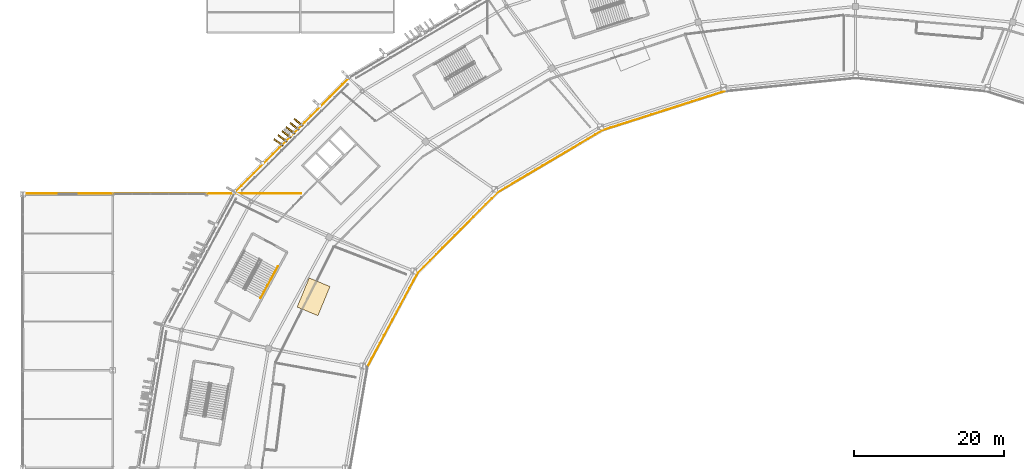
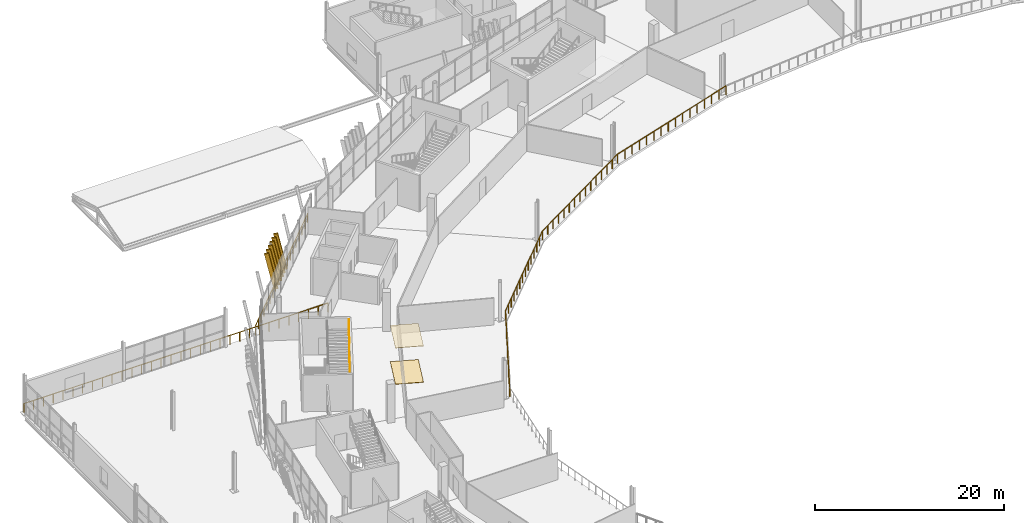
# One storey, part 158 of 179: 7 railings, 6 shading devices, 2 coverings.
"""IFC4 building model written with IfcOpenShell, lengths in metres."""

from ifc_helpers import new_model, si_unit, direction, frame, origin, origin_2d, place, context, subcontext, project, spatial, polyline, rectangle, outline, extrude, material, layer, layer_set, material_profile, profile_set, type_object, element, save


model = new_model("IFC4")

# Units and contexts
model_context = context("Model", 3, precision=1e-05, world=origin(), true_north=direction((0.0, 1.0)))
body_context = subcontext(model_context, "Body", "Model", "MODEL_VIEW")
ifc_project = project(units=[si_unit("LENGTHUNIT", "METRE"), si_unit("AREAUNIT", "SQUARE_METRE"), si_unit("VOLUMEUNIT", "CUBIC_METRE"), si_unit("PLANEANGLEUNIT", "RADIAN"), si_unit("MASSUNIT", "GRAM", prefix="KILO")], contexts=[model_context])

# Site, building, storey
site_placement = place(None, origin())
site = spatial("IfcSite", under=ifc_project, at=site_placement, CompositionType="ELEMENT")
building_placement = place(site_placement, origin())
building = spatial("IfcBuilding", under=site, at=building_placement, Name="Zlatoyarsky Gate Stadium", CompositionType="ELEMENT")
storey_placement = place(building_placement, frame((0.0, 0.0, 10.60009765625)))
storey = spatial("IfcBuildingStorey", under=building, at=storey_placement, Name="L02", CompositionType="ELEMENT", Elevation=10.60009765625)

# Railings
ifc_material_1 = material(Name="Powder-coated steel tubular guardrail", Category="steel")
railing_type_1 = type_object("IfcRailingType", Name="CONCOURSE SLAB EDGE GUARDRAIL 1200", PredefinedType="GUARDRAIL", material=ifc_material_1)
railing_1_placement = place(storey_placement, frame((93.560791015625, 130.208740234375, 0.0)))
element("IfcRailing", 1, at=railing_1_placement, inside=storey, type_object=railing_type_1, Name="L02 inner bowl edge guardrail 07", PredefinedType="GUARDRAIL", context=body_context, shape_type="SweptSolid", body=[
    extrude(rectangle(XDim=0.048095703125, YDim=0.048095703125, at=origin_2d()), frame((0.0, 0.0, 1.17578125), z_axis=(-0.952553500174, -0.304371203149, 0.0), x_axis=(0.304371203149, -0.952553500174, 0.0)), (0.0, 0.0, 1.0), 17.06005859375),
    extrude(rectangle(XDim=0.0419921875, YDim=0.0419921875, at=origin_2d()), origin(), (0.0, 0.0, 1.0), 1.15185546875),
    extrude(rectangle(XDim=0.0419921875, YDim=0.0419921875, at=origin_2d()), frame((-1.08349609375, -0.34619140625, 0.0)), (0.0, 0.0, 1.0), 1.15185546875),
    extrude(rectangle(XDim=0.0419921875, YDim=0.0419921875, at=origin_2d()), frame((-2.166748046875, -0.6923828125, 0.0)), (0.0, 0.0, 1.0), 1.15185546875),
    extrude(rectangle(XDim=0.0419921875, YDim=0.0419921875, at=origin_2d()), frame((-3.250244140625, -1.03857421875, 0.0)), (0.0, 0.0, 1.0), 1.15185546875),
    extrude(rectangle(XDim=0.0419921875, YDim=0.0419921875, at=origin_2d()), frame((-4.33349609375, -1.384765625, 0.0)), (0.0, 0.0, 1.0), 1.15185546875),
    extrude(rectangle(XDim=0.0419921875, YDim=0.0419921875, at=origin_2d()), frame((-5.4169921875, -1.73095703125, 0.0)), (0.0, 0.0, 1.0), 1.15185546875),
    extrude(rectangle(XDim=0.0419921875, YDim=0.0419921875, at=origin_2d()), frame((-6.500244140625, -2.0771484375, 0.0)), (0.0, 0.0, 1.0), 1.15185546875),
    extrude(rectangle(XDim=0.0419921875, YDim=0.0419921875, at=origin_2d()), frame((-7.583740234375, -2.42333984375, 0.0)), (0.0, 0.0, 1.0), 1.15185546875),
    extrude(rectangle(XDim=0.0419921875, YDim=0.0419921875, at=origin_2d()), frame((-8.6669921875, -2.769287109375, 0.0)), (0.0, 0.0, 1.0), 1.15185546875),
    extrude(rectangle(XDim=0.0419921875, YDim=0.0419921875, at=origin_2d()), frame((-9.75048828125, -3.115478515625, 0.0)), (0.0, 0.0, 1.0), 1.15185546875),
    extrude(rectangle(XDim=0.0419921875, YDim=0.0419921875, at=origin_2d()), frame((-10.833740234375, -3.461669921875, 0.0)), (0.0, 0.0, 1.0), 1.15185546875),
    extrude(rectangle(XDim=0.0419921875, YDim=0.0419921875, at=origin_2d()), frame((-11.917236328125, -3.807861328125, 0.0)), (0.0, 0.0, 1.0), 1.15185546875),
    extrude(rectangle(XDim=0.0419921875, YDim=0.0419921875, at=origin_2d()), frame((-13.00048828125, -4.154052734375, 0.0)), (0.0, 0.0, 1.0), 1.15185546875),
    extrude(rectangle(XDim=0.0419921875, YDim=0.0419921875, at=origin_2d()), frame((-14.083984375, -4.500244140625, 0.0)), (0.0, 0.0, 1.0), 1.15185546875),
    extrude(rectangle(XDim=0.0419921875, YDim=0.0419921875, at=origin_2d()), frame((-15.167236328125, -4.846435546875, 0.0)), (0.0, 0.0, 1.0), 1.15185546875),
    extrude(rectangle(XDim=0.0419921875, YDim=0.0419921875, at=origin_2d()), frame((-16.250732421875, -5.192626953125, 0.0)), (0.0, 0.0, 1.0), 1.15185546875),
])
railing_2_placement = place(storey_placement, frame((77.31005859375, 125.01611328125, 0.0)))
element("IfcRailing", 2, at=railing_2_placement, inside=storey, type_object=railing_type_1, Name="L02 inner bowl edge guardrail 08", PredefinedType="GUARDRAIL", context=body_context, shape_type="SweptSolid", body=[
    extrude(rectangle(XDim=0.048095703125, YDim=0.048095703125, at=origin_2d()), frame((0.0, 0.0, 1.17578125), z_axis=(-0.860533047645, -0.509394615118, 0.0), x_axis=(0.509394615118, -0.860533047645, 0.0)), (0.0, 0.0, 1.0), 16.216796875),
    extrude(rectangle(XDim=0.0419921875, YDim=0.0419921875, at=origin_2d()), origin(), (0.0, 0.0, 1.0), 1.15185546875),
    extrude(rectangle(XDim=0.0419921875, YDim=0.0419921875, at=origin_2d()), frame((-0.996826171875, -0.590087890625, 0.0)), (0.0, 0.0, 1.0), 1.15185546875),
    extrude(rectangle(XDim=0.0419921875, YDim=0.0419921875, at=origin_2d()), frame((-1.99365234375, -1.18017578125, 0.0)), (0.0, 0.0, 1.0), 1.15185546875),
    extrude(rectangle(XDim=0.0419921875, YDim=0.0419921875, at=origin_2d()), frame((-2.990478515625, -1.770263671875, 0.0)), (0.0, 0.0, 1.0), 1.15185546875),
    extrude(rectangle(XDim=0.0419921875, YDim=0.0419921875, at=origin_2d()), frame((-3.987060546875, -2.360107421875, 0.0)), (0.0, 0.0, 1.0), 1.15185546875),
    extrude(rectangle(XDim=0.0419921875, YDim=0.0419921875, at=origin_2d()), frame((-4.98388671875, -2.9501953125, 0.0)), (0.0, 0.0, 1.0), 1.15185546875),
    extrude(rectangle(XDim=0.0419921875, YDim=0.0419921875, at=origin_2d()), frame((-5.980712890625, -3.540283203125, 0.0)), (0.0, 0.0, 1.0), 1.15185546875),
    extrude(rectangle(XDim=0.0419921875, YDim=0.0419921875, at=origin_2d()), frame((-6.9775390625, -4.13037109375, 0.0)), (0.0, 0.0, 1.0), 1.15185546875),
    extrude(rectangle(XDim=0.0419921875, YDim=0.0419921875, at=origin_2d()), frame((-7.974365234375, -4.720458984375, 0.0)), (0.0, 0.0, 1.0), 1.15185546875),
    extrude(rectangle(XDim=0.0419921875, YDim=0.0419921875, at=origin_2d()), frame((-8.97119140625, -5.310546875, 0.0)), (0.0, 0.0, 1.0), 1.15185546875),
    extrude(rectangle(XDim=0.0419921875, YDim=0.0419921875, at=origin_2d()), frame((-9.968017578125, -5.900634765625, 0.0)), (0.0, 0.0, 1.0), 1.15185546875),
    extrude(rectangle(XDim=0.0419921875, YDim=0.0419921875, at=origin_2d()), frame((-10.964599609375, -6.490478515625, 0.0)), (0.0, 0.0, 1.0), 1.15185546875),
    extrude(rectangle(XDim=0.0419921875, YDim=0.0419921875, at=origin_2d()), frame((-11.96142578125, -7.08056640625, 0.0)), (0.0, 0.0, 1.0), 1.15185546875),
    extrude(rectangle(XDim=0.0419921875, YDim=0.0419921875, at=origin_2d()), frame((-12.958251953125, -7.670654296875, 0.0)), (0.0, 0.0, 1.0), 1.15185546875),
    extrude(rectangle(XDim=0.0419921875, YDim=0.0419921875, at=origin_2d()), frame((-13.955078125, -8.2607421875, 0.0)), (0.0, 0.0, 1.0), 1.15185546875),
])
railing_3_placement = place(storey_placement, frame((63.35498046875, 116.75537109375, 0.0)))
element("IfcRailing", 3, at=railing_3_placement, inside=storey, type_object=railing_type_1, Name="L02 inner bowl edge guardrail 09", PredefinedType="GUARDRAIL", context=body_context, shape_type="SweptSolid", body=[
    extrude(rectangle(XDim=0.048095703125, YDim=0.048095703125, at=origin_2d()), frame((0.0, 0.0, 1.17578125), z_axis=(-0.705206918956, -0.709001552506, 0.0), x_axis=(0.709001552506, -0.705206918956, 0.0)), (0.0, 0.0, 1.0), 15.183837890625),
    extrude(rectangle(XDim=0.0419921875, YDim=0.0419921875, at=origin_2d()), origin(), (0.0, 0.0, 1.0), 1.15185546875),
    extrude(rectangle(XDim=0.0419921875, YDim=0.0419921875, at=origin_2d()), frame((-0.82373046875, -0.828125, 0.0)), (0.0, 0.0, 1.0), 1.15185546875),
    extrude(rectangle(XDim=0.0419921875, YDim=0.0419921875, at=origin_2d()), frame((-1.6474609375, -1.65625, 0.0)), (0.0, 0.0, 1.0), 1.15185546875),
    extrude(rectangle(XDim=0.0419921875, YDim=0.0419921875, at=origin_2d()), frame((-2.470947265625, -2.484375, 0.0)), (0.0, 0.0, 1.0), 1.15185546875),
    extrude(rectangle(XDim=0.0419921875, YDim=0.0419921875, at=origin_2d()), frame((-3.294677734375, -3.3125, 0.0)), (0.0, 0.0, 1.0), 1.15185546875),
    extrude(rectangle(XDim=0.0419921875, YDim=0.0419921875, at=origin_2d()), frame((-4.118408203125, -4.140625, 0.0)), (0.0, 0.0, 1.0), 1.15185546875),
    extrude(rectangle(XDim=0.0419921875, YDim=0.0419921875, at=origin_2d()), frame((-4.942138671875, -4.96875, 0.0)), (0.0, 0.0, 1.0), 1.15185546875),
    extrude(rectangle(XDim=0.0419921875, YDim=0.0419921875, at=origin_2d()), frame((-5.765625, -5.796630859375, 0.0)), (0.0, 0.0, 1.0), 1.15185546875),
    extrude(rectangle(XDim=0.0419921875, YDim=0.0419921875, at=origin_2d()), frame((-6.58935546875, -6.624755859375, 0.0)), (0.0, 0.0, 1.0), 1.15185546875),
    extrude(rectangle(XDim=0.0419921875, YDim=0.0419921875, at=origin_2d()), frame((-7.4130859375, -7.452880859375, 0.0)), (0.0, 0.0, 1.0), 1.15185546875),
    extrude(rectangle(XDim=0.0419921875, YDim=0.0419921875, at=origin_2d()), frame((-8.23681640625, -8.281005859375, 0.0)), (0.0, 0.0, 1.0), 1.15185546875),
    extrude(rectangle(XDim=0.0419921875, YDim=0.0419921875, at=origin_2d()), frame((-9.060302734375, -9.109130859375, 0.0)), (0.0, 0.0, 1.0), 1.15185546875),
    extrude(rectangle(XDim=0.0419921875, YDim=0.0419921875, at=origin_2d()), frame((-9.884033203125, -9.937255859375, 0.0)), (0.0, 0.0, 1.0), 1.15185546875),
    extrude(rectangle(XDim=0.0419921875, YDim=0.0419921875, at=origin_2d()), frame((-10.707763671875, -10.765380859375, 0.0)), (0.0, 0.0, 1.0), 1.15185546875),
])
railing_4_placement = place(storey_placement, frame((52.647216796875, 105.989990234375, 0.0)))
element("IfcRailing", 4, at=railing_4_placement, inside=storey, type_object=railing_type_1, Name="L02 inner bowl edge guardrail 10", PredefinedType="GUARDRAIL", context=body_context, shape_type="SweptSolid", body=[
    extrude(rectangle(XDim=0.048095703125, YDim=0.048095703125, at=origin_2d()), frame((0.0, 0.0, 1.17578125), z_axis=(-0.473048708203, -0.881036276023, 0.0), x_axis=(0.881036276023, -0.473048708203, 0.0)), (0.0, 0.0, 1.0), 14.2294921875),
    extrude(rectangle(XDim=0.0419921875, YDim=0.0419921875, at=origin_2d()), origin(), (0.0, 0.0, 1.0), 1.15185546875),
    extrude(rectangle(XDim=0.0419921875, YDim=0.0419921875, at=origin_2d()), frame((-0.56103515625, -1.044677734375, 0.0)), (0.0, 0.0, 1.0), 1.15185546875),
    extrude(rectangle(XDim=0.0419921875, YDim=0.0419921875, at=origin_2d()), frame((-1.121826171875, -2.08935546875, 0.0)), (0.0, 0.0, 1.0), 1.15185546875),
    extrude(rectangle(XDim=0.0419921875, YDim=0.0419921875, at=origin_2d()), frame((-1.682861328125, -3.13427734375, 0.0)), (0.0, 0.0, 1.0), 1.15185546875),
    extrude(rectangle(XDim=0.0419921875, YDim=0.0419921875, at=origin_2d()), frame((-2.24365234375, -4.178955078125, 0.0)), (0.0, 0.0, 1.0), 1.15185546875),
    extrude(rectangle(XDim=0.0419921875, YDim=0.0419921875, at=origin_2d()), frame((-2.8046875, -5.2236328125, 0.0)), (0.0, 0.0, 1.0), 1.15185546875),
    extrude(rectangle(XDim=0.0419921875, YDim=0.0419921875, at=origin_2d()), frame((-3.36572265625, -6.268310546875, 0.0)), (0.0, 0.0, 1.0), 1.15185546875),
    extrude(rectangle(XDim=0.0419921875, YDim=0.0419921875, at=origin_2d()), frame((-3.926513671875, -7.31298828125, 0.0)), (0.0, 0.0, 1.0), 1.15185546875),
    extrude(rectangle(XDim=0.0419921875, YDim=0.0419921875, at=origin_2d()), frame((-4.487548828125, -8.357666015625, 0.0)), (0.0, 0.0, 1.0), 1.15185546875),
    extrude(rectangle(XDim=0.0419921875, YDim=0.0419921875, at=origin_2d()), frame((-5.04833984375, -9.40234375, 0.0)), (0.0, 0.0, 1.0), 1.15185546875),
    extrude(rectangle(XDim=0.0419921875, YDim=0.0419921875, at=origin_2d()), frame((-5.609375, -10.447265625, 0.0)), (0.0, 0.0, 1.0), 1.15185546875),
    extrude(rectangle(XDim=0.0419921875, YDim=0.0419921875, at=origin_2d()), frame((-6.170166015625, -11.491943359375, 0.0)), (0.0, 0.0, 1.0), 1.15185546875),
    extrude(rectangle(XDim=0.0419921875, YDim=0.0419921875, at=origin_2d()), frame((-6.731201171875, -12.53662109375, 0.0)), (0.0, 0.0, 1.0), 1.15185546875),
])
railing_5_placement = place(storey_placement, frame((43.47412109375, 131.969482421875, 0.0)))
element("IfcRailing", 5, at=railing_5_placement, inside=storey, type_object=railing_type_1, Name="L02 outer slab edge guardrail 09", PredefinedType="GUARDRAIL", context=body_context, shape_type="SweptSolid", body=[
    extrude(rectangle(XDim=0.048095703125, YDim=0.048095703125, at=origin_2d()), frame((0.0, 0.0, 1.17578125), z_axis=(-0.706043981581, -0.708167985773, 0.0), x_axis=(0.708167985773, -0.706043981581, 0.0)), (0.0, 0.0, 1.0), 21.494384765625),
    extrude(rectangle(XDim=0.0419921875, YDim=0.0419921875, at=origin_2d()), origin(), (0.0, 0.0, 1.0), 1.15185546875),
    extrude(rectangle(XDim=0.0419921875, YDim=0.0419921875, at=origin_2d()), frame((-0.843017578125, -0.845703125, 0.0)), (0.0, 0.0, 1.0), 1.15185546875),
    extrude(rectangle(XDim=0.0419921875, YDim=0.0419921875, at=origin_2d()), frame((-1.686279296875, -1.69140625, 0.0)), (0.0, 0.0, 1.0), 1.15185546875),
    extrude(rectangle(XDim=0.0419921875, YDim=0.0419921875, at=origin_2d()), frame((-2.529296875, -2.536865234375, 0.0)), (0.0, 0.0, 1.0), 1.15185546875),
    extrude(rectangle(XDim=0.0419921875, YDim=0.0419921875, at=origin_2d()), frame((-3.37255859375, -3.382568359375, 0.0)), (0.0, 0.0, 1.0), 1.15185546875),
    extrude(rectangle(XDim=0.0419921875, YDim=0.0419921875, at=origin_2d()), frame((-4.215576171875, -4.228271484375, 0.0)), (0.0, 0.0, 1.0), 1.15185546875),
    extrude(rectangle(XDim=0.0419921875, YDim=0.0419921875, at=origin_2d()), frame((-5.05859375, -5.073974609375, 0.0)), (0.0, 0.0, 1.0), 1.15185546875),
    extrude(rectangle(XDim=0.0419921875, YDim=0.0419921875, at=origin_2d()), frame((-5.90185546875, -5.91943359375, 0.0)), (0.0, 0.0, 1.0), 1.15185546875),
    extrude(rectangle(XDim=0.0419921875, YDim=0.0419921875, at=origin_2d()), frame((-6.744873046875, -6.76513671875, 0.0)), (0.0, 0.0, 1.0), 1.15185546875),
    extrude(rectangle(XDim=0.0419921875, YDim=0.0419921875, at=origin_2d()), frame((-7.587890625, -7.61083984375, 0.0)), (0.0, 0.0, 1.0), 1.15185546875),
    extrude(rectangle(XDim=0.0419921875, YDim=0.0419921875, at=origin_2d()), frame((-8.43115234375, -8.45654296875, 0.0)), (0.0, 0.0, 1.0), 1.15185546875),
    extrude(rectangle(XDim=0.0419921875, YDim=0.0419921875, at=origin_2d()), frame((-9.274169921875, -9.30224609375, 0.0)), (0.0, 0.0, 1.0), 1.15185546875),
    extrude(rectangle(XDim=0.0419921875, YDim=0.0419921875, at=origin_2d()), frame((-10.117431640625, -10.147705078125, 0.0)), (0.0, 0.0, 1.0), 1.15185546875),
    extrude(rectangle(XDim=0.0419921875, YDim=0.0419921875, at=origin_2d()), frame((-10.96044921875, -10.993408203125, 0.0)), (0.0, 0.0, 1.0), 1.15185546875),
    extrude(rectangle(XDim=0.0419921875, YDim=0.0419921875, at=origin_2d()), frame((-11.803466796875, -11.839111328125, 0.0)), (0.0, 0.0, 1.0), 1.15185546875),
    extrude(rectangle(XDim=0.0419921875, YDim=0.0419921875, at=origin_2d()), frame((-12.646728515625, -12.684814453125, 0.0)), (0.0, 0.0, 1.0), 1.15185546875),
    extrude(rectangle(XDim=0.0419921875, YDim=0.0419921875, at=origin_2d()), frame((-13.48974609375, -13.5302734375, 0.0)), (0.0, 0.0, 1.0), 1.15185546875),
    extrude(rectangle(XDim=0.0419921875, YDim=0.0419921875, at=origin_2d()), frame((-14.3330078125, -14.3759765625, 0.0)), (0.0, 0.0, 1.0), 1.15185546875),
    extrude(rectangle(XDim=0.0419921875, YDim=0.0419921875, at=origin_2d()), frame((-15.176025390625, -15.2216796875, 0.0)), (0.0, 0.0, 1.0), 1.15185546875),
])
railing_6_placement = place(storey_placement, frame((-0.080078125, 116.580078125, 0.0)))
element("IfcRailing", 6, at=railing_6_placement, inside=storey, type_object=railing_type_1, Name="V4_WEST L02 N slab edge guardrail", PredefinedType="GUARDRAIL", context=body_context, shape_type="SweptSolid", body=[
    extrude(rectangle(XDim=0.048095703125, YDim=0.048095703125, at=origin_2d()), frame((0.0, 0.0, 1.17578125), z_axis=(1.0, 0.0, 0.0), x_axis=(0.0, 1.0, 0.0)), (0.0, 0.0, 1.0), 37.16015625),
    extrude(rectangle(XDim=0.0419921875, YDim=0.0419921875, at=origin_2d()), origin(), (0.0, 0.0, 1.0), 1.15185546875),
    extrude(rectangle(XDim=0.0419921875, YDim=0.0419921875, at=origin_2d()), frame((1.19873046875, 0.0, 0.0)), (0.0, 0.0, 1.0), 1.15185546875),
    extrude(rectangle(XDim=0.0419921875, YDim=0.0419921875, at=origin_2d()), frame((2.3974609375, 0.0, 0.0)), (0.0, 0.0, 1.0), 1.15185546875),
    extrude(rectangle(XDim=0.0419921875, YDim=0.0419921875, at=origin_2d()), frame((3.59619140625, 0.0, 0.0)), (0.0, 0.0, 1.0), 1.15185546875),
    extrude(rectangle(XDim=0.0419921875, YDim=0.0419921875, at=origin_2d()), frame((4.794921875, 0.0, 0.0)), (0.0, 0.0, 1.0), 1.15185546875),
    extrude(rectangle(XDim=0.0419921875, YDim=0.0419921875, at=origin_2d()), frame((5.99365234375, 0.0, 0.0)), (0.0, 0.0, 1.0), 1.15185546875),
    extrude(rectangle(XDim=0.0419921875, YDim=0.0419921875, at=origin_2d()), frame((7.1923828125, 0.0, 0.0)), (0.0, 0.0, 1.0), 1.15185546875),
    extrude(rectangle(XDim=0.0419921875, YDim=0.0419921875, at=origin_2d()), frame((8.39111328125, 0.0, 0.0)), (0.0, 0.0, 1.0), 1.15185546875),
    extrude(rectangle(XDim=0.0419921875, YDim=0.0419921875, at=origin_2d()), frame((9.589599609375, 0.0, 0.0)), (0.0, 0.0, 1.0), 1.15185546875),
    extrude(rectangle(XDim=0.0419921875, YDim=0.0419921875, at=origin_2d()), frame((10.788330078125, 0.0, 0.0)), (0.0, 0.0, 1.0), 1.15185546875),
    extrude(rectangle(XDim=0.0419921875, YDim=0.0419921875, at=origin_2d()), frame((11.987060546875, 0.0, 0.0)), (0.0, 0.0, 1.0), 1.15185546875),
    extrude(rectangle(XDim=0.0419921875, YDim=0.0419921875, at=origin_2d()), frame((13.185791015625, 0.0, 0.0)), (0.0, 0.0, 1.0), 1.15185546875),
    extrude(rectangle(XDim=0.0419921875, YDim=0.0419921875, at=origin_2d()), frame((14.384521484375, 0.0, 0.0)), (0.0, 0.0, 1.0), 1.15185546875),
    extrude(rectangle(XDim=0.0419921875, YDim=0.0419921875, at=origin_2d()), frame((15.583251953125, 0.0, 0.0)), (0.0, 0.0, 1.0), 1.15185546875),
    extrude(rectangle(XDim=0.0419921875, YDim=0.0419921875, at=origin_2d()), frame((16.781982421875, 0.0, 0.0)), (0.0, 0.0, 1.0), 1.15185546875),
    extrude(rectangle(XDim=0.0419921875, YDim=0.0419921875, at=origin_2d()), frame((17.980712890625, 0.0, 0.0)), (0.0, 0.0, 1.0), 1.15185546875),
    extrude(rectangle(XDim=0.0419921875, YDim=0.0419921875, at=origin_2d()), frame((19.179443359375, 0.0, 0.0)), (0.0, 0.0, 1.0), 1.15185546875),
    extrude(rectangle(XDim=0.0419921875, YDim=0.0419921875, at=origin_2d()), frame((20.378173828125, 0.0, 0.0)), (0.0, 0.0, 1.0), 1.15185546875),
    extrude(rectangle(XDim=0.0419921875, YDim=0.0419921875, at=origin_2d()), frame((21.576904296875, 0.0, 0.0)), (0.0, 0.0, 1.0), 1.15185546875),
    extrude(rectangle(XDim=0.0419921875, YDim=0.0419921875, at=origin_2d()), frame((22.775634765625, 0.0, 0.0)), (0.0, 0.0, 1.0), 1.15185546875),
    extrude(rectangle(XDim=0.0419921875, YDim=0.0419921875, at=origin_2d()), frame((23.974365234375, 0.0, 0.0)), (0.0, 0.0, 1.0), 1.15185546875),
    extrude(rectangle(XDim=0.0419921875, YDim=0.0419921875, at=origin_2d()), frame((25.173095703125, 0.0, 0.0)), (0.0, 0.0, 1.0), 1.15185546875),
    extrude(rectangle(XDim=0.0419921875, YDim=0.0419921875, at=origin_2d()), frame((26.371826171875, 0.0, 0.0)), (0.0, 0.0, 1.0), 1.15185546875),
    extrude(rectangle(XDim=0.0419921875, YDim=0.0419921875, at=origin_2d()), frame((27.570556640625, 0.0, 0.0)), (0.0, 0.0, 1.0), 1.15185546875),
    extrude(rectangle(XDim=0.0419921875, YDim=0.0419921875, at=origin_2d()), frame((28.76904296875, 0.0, 0.0)), (0.0, 0.0, 1.0), 1.15185546875),
    extrude(rectangle(XDim=0.0419921875, YDim=0.0419921875, at=origin_2d()), frame((29.9677734375, 0.0, 0.0)), (0.0, 0.0, 1.0), 1.15185546875),
    extrude(rectangle(XDim=0.0419921875, YDim=0.0419921875, at=origin_2d()), frame((31.16650390625, 0.0, 0.0)), (0.0, 0.0, 1.0), 1.15185546875),
    extrude(rectangle(XDim=0.0419921875, YDim=0.0419921875, at=origin_2d()), frame((32.365234375, 0.0, 0.0)), (0.0, 0.0, 1.0), 1.15185546875),
    extrude(rectangle(XDim=0.0419921875, YDim=0.0419921875, at=origin_2d()), frame((33.56396484375, 0.0, 0.0)), (0.0, 0.0, 1.0), 1.15185546875),
    extrude(rectangle(XDim=0.0419921875, YDim=0.0419921875, at=origin_2d()), frame((34.7626953125, 0.0, 0.0)), (0.0, 0.0, 1.0), 1.15185546875),
    extrude(rectangle(XDim=0.0419921875, YDim=0.0419921875, at=origin_2d()), frame((35.96142578125, 0.0, 0.0)), (0.0, 0.0, 1.0), 1.15185546875),
    extrude(rectangle(XDim=0.0419921875, YDim=0.0419921875, at=origin_2d()), frame((37.16015625, 0.0, 0.0)), (0.0, 0.0, 1.0), 1.15185546875),
])

# Coverings
ifc_material_2 = material(Name="Perforated anodised aluminium acoustic ceiling", Category="aluminium")
ifc_layer_1 = layer(ifc_material_2, 0.050048828125)
ifc_layer_set_1 = layer_set([ifc_layer_1], Name="Perforated anodised aluminium acoustic ceiling")
covering_type_1 = type_object("IfcCoveringType", Name="PERFORATED ACOUSTIC BAFFLE CEILING 50", PredefinedType="CEILING", material=ifc_layer_set_1)
covering_1_placement = place(storey_placement, frame((0.0, 0.0, 4.669921875)))
element("IfcCovering", 7, at=covering_1_placement, inside=storey, type_object=covering_type_1, Name="L02 hospitality acoustic ceiling 04", PredefinedType="CEILING", context=body_context, shape_type="SweptSolid", body=[
    extrude(outline(polyline([(40.9423828125, 104.174072265625), (39.335205078125, 100.293701171875), (36.5634765625, 101.44189453125), (38.1708984375, 105.322265625), (40.9423828125, 104.174072265625)])), origin(), (0.0, 0.0, 1.0), 0.050048828125),
])
ifc_material_3 = material(Name="Polished granite stone flooring", Category="masonry")
ifc_layer_2 = layer(ifc_material_3, 0.0400390625)
ifc_layer_set_2 = layer_set([ifc_layer_2], Name="Polished granite stone flooring")
covering_type_2 = type_object("IfcCoveringType", Name="POLISHED GRANITE CONCOURSE FLOORING 40", PredefinedType="FLOORING", material=ifc_layer_set_2)
covering_2_placement = place(storey_placement, origin())
element("IfcCovering", 8, at=covering_2_placement, inside=storey, type_object=covering_type_2, Name="L02 hospitality concourse granite flooring 04", PredefinedType="FLOORING", context=body_context, shape_type="SweptSolid", body=[
    extrude(outline(polyline([(40.9423828125, 104.174072265625), (39.335205078125, 100.293701171875), (36.5634765625, 101.44189453125), (38.1708984375, 105.322265625), (40.9423828125, 104.174072265625)])), origin(), (0.0, 0.0, 1.0), 0.039794921875),
])

# Shading devices
ifc_material_4 = material(Name="Precast concrete C40/50 stone-toned architectural rib", Category="masonry")
ifc_material_profile = material_profile(ifc_material_4, rectangle(XDim=0.199951171875, YDim=0.47998046875, at=origin_2d()), Name="RIB 200X480")
ifc_profile_set = profile_set([ifc_material_profile], Name="Precast concrete C40/50 stone-toned architectural rib")
shading_device_type = type_object("IfcShadingDeviceType", Name="PRECAST FLUTED GATE LOUVRE BLADE 200X480", PredefinedType="SHUTTER", material=ifc_profile_set)
for number, where, z_axis, x_axis, name in (
    (9, (37.131103515625, 125.7470703125, -0.010009765625), (-0.172604930149, 0.138859816034, 0.975154085045), (-0.626828302865, -0.779157415884, 0.0), "Leaning bowl louvre fin L02-09-1"),
    (10, (36.601806640625, 125.2158203125, -0.010009765625), (-0.173880188722, 0.13726544238, 0.975153258877), (-0.619620954857, -0.78490118633, 0.0), "Leaning bowl louvre fin L02-09-2"),
):
    element("IfcShadingDevice", number, at=place(storey_placement, frame(where, z_axis=z_axis, x_axis=x_axis)), inside=storey, type_object=shading_device_type, Name=name, PredefinedType="SHUTTER", context=body_context, shape_type="SweptSolid", body=[
        extrude(rectangle(XDim=0.199951171875, YDim=0.47998046875, at=origin_2d()), origin(), (0.0, 0.0, 1.0), 4.59423828125),
    ])
for number, where, z_axis, x_axis, name in (
    (11, (36.072265625, 124.684814453125, -0.010009765625), (-0.175104465299, 0.13561960408, 0.975164472908), (-0.612328041974, -0.790603800277, 0.0), "Leaning bowl louvre fin L02-09-3"),
    (12, (35.542724609375, 124.1533203125, -0.010009765625), (-0.176325516309, 0.134077539978, 0.975157692669), (-0.605283981389, -0.796009611672, 0.0), "Leaning bowl louvre fin L02-09-4"),
    (13, (35.01318359375, 123.622314453125, -0.010009765625), (-0.177548363437, 0.132430566203, 0.975160870716), (-0.597886593445, -0.801580701725, 0.0), "Leaning bowl louvre fin L02-09-5"),
):
    element("IfcShadingDevice", number, at=place(storey_placement, frame(where, z_axis=z_axis, x_axis=x_axis)), inside=storey, type_object=shading_device_type, Name=name, PredefinedType="SHUTTER", context=body_context, shape_type="SweptSolid", body=[
        extrude(rectangle(XDim=0.199951171875, YDim=0.47998046875, at=origin_2d()), origin(), (0.0, 0.0, 1.0), 4.593994140625),
    ])
shading_device_placement = place(storey_placement, frame((34.48388671875, 123.091064453125, -0.010009765625), z_axis=(-0.178821909415, 0.130781788728, 0.97515067987), x_axis=(-0.590323267445, -0.807166921964, 0.0)))
element("IfcShadingDevice", 14, at=shading_device_placement, inside=storey, type_object=shading_device_type, Name="Leaning bowl louvre fin L02-09-6", PredefinedType="SHUTTER", context=body_context, shape_type="SweptSolid", body=[
    extrude(rectangle(XDim=0.199951171875, YDim=0.47998046875, at=origin_2d()), origin(), (0.0, 0.0, 1.0), 4.59423828125),
])

# Railing
ifc_material_5 = material(Name="Brushed stainless steel 316 handrail", Category="steel")
railing_type_2 = type_object("IfcRailingType", Name="STAINLESS STEEL TUBULAR HANDRAIL 900", PredefinedType="HANDRAIL", material=ifc_material_5)
railing_7_placement = place(storey_placement, frame((31.701904296875, 102.6298828125, 2.66015625)))
element("IfcRailing", 15, at=railing_7_placement, inside=storey, type_object=railing_type_2, Name="ST-06 L02 stair handrail 2", PredefinedType="HANDRAIL", context=body_context, shape_type="SweptSolid", body=[
    extrude(rectangle(XDim=0.048095703125, YDim=0.048095703125, at=origin_2d()), frame((0.0, 0.0, 0.8759765625), z_axis=(0.422960733392, 0.779563186192, 0.461936637151), x_axis=(-0.878962478599, 0.4768909322, 0.0)), (0.0, 0.0, 1.0), 5.412109375),
    extrude(rectangle(XDim=0.0419921875, YDim=0.0419921875, at=origin_2d()), origin(), (0.0, 0.0, 1.0), 0.851806640625),
    extrude(rectangle(XDim=0.0419921875, YDim=0.0419921875, at=origin_2d()), frame((0.457763671875, 0.84375, 0.5)), (0.0, 0.0, 1.0), 0.851806640625),
    extrude(rectangle(XDim=0.0419921875, YDim=0.0419921875, at=origin_2d()), frame((0.91552734375, 1.6875, 1.0)), (0.0, 0.0, 1.0), 0.851806640625),
    extrude(rectangle(XDim=0.0419921875, YDim=0.0419921875, at=origin_2d()), frame((1.37353515625, 2.531494140625, 1.5)), (0.0, 0.0, 1.0), 0.851806640625),
    extrude(rectangle(XDim=0.0419921875, YDim=0.0419921875, at=origin_2d()), frame((1.831298828125, 3.375244140625, 2.0)), (0.0, 0.0, 1.0), 0.851806640625),
    extrude(rectangle(XDim=0.0419921875, YDim=0.0419921875, at=origin_2d()), frame((2.2890625, 4.218994140625, 2.5)), (0.0, 0.0, 1.0), 0.851806640625),
])

save(model, "model.ifc")
